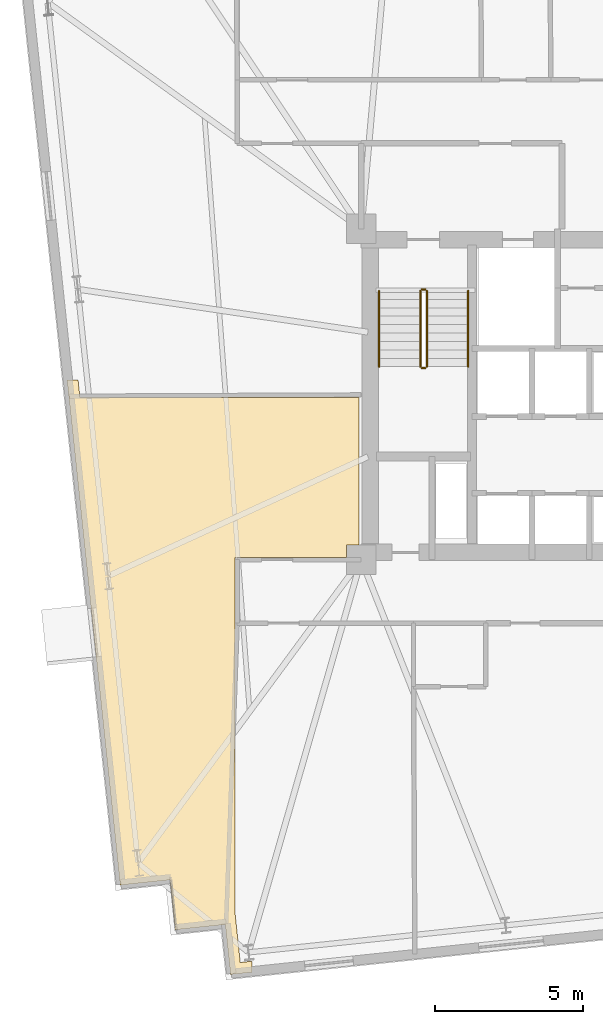
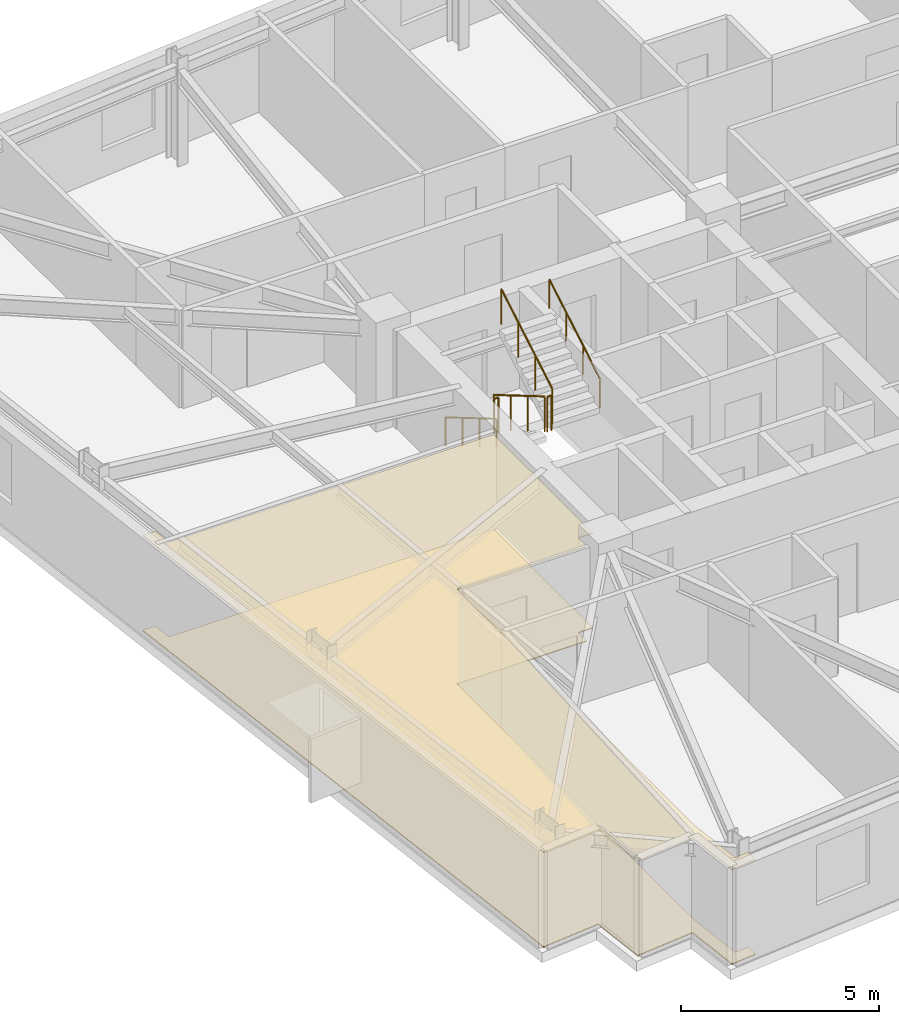
# One storey, part 17 of 19: 6 railings, 2 coverings.
"""IFC4 building model written with IfcOpenShell, lengths in metres."""

from ifc_helpers import new_model, si_unit, direction, frame, origin, origin_2d, place, context, subcontext, project, spatial, polyline, circle, outline, extrude, material, layer, layer_set, type_object, element, save


model = new_model("IFC4")

# Units and contexts
model_context = context("Model", 3, precision=1e-05, world=origin(), true_north=direction((0.0, 1.0)))
body_context = subcontext(model_context, "Body", "Model", "MODEL_VIEW")
ifc_project = project(units=[si_unit("LENGTHUNIT", "METRE"), si_unit("AREAUNIT", "SQUARE_METRE"), si_unit("VOLUMEUNIT", "CUBIC_METRE"), si_unit("PLANEANGLEUNIT", "RADIAN"), si_unit("MASSUNIT", "GRAM", prefix="KILO")], contexts=[model_context])

# Site, building, storey
site_placement = place(None, origin())
site = spatial("IfcSite", under=ifc_project, at=site_placement, CompositionType="ELEMENT")
building_placement = place(site_placement, origin())
building = spatial("IfcBuilding", under=site, at=building_placement, Name="Qobustan Lattice House", CompositionType="ELEMENT")
storey_placement = place(building_placement, frame((0.0, 0.0, 122.550048828125)))
storey = spatial("IfcBuildingStorey", under=building, at=storey_placement, Name="L34", CompositionType="ELEMENT", Elevation=122.550048828125)

# Coverings
ifc_material_1 = material(Name="Perforated gypsum acoustic ceiling", Category="gypsum")
ifc_layer_1 = layer(ifc_material_1, 0.030029296875)
ifc_layer_set_1 = layer_set([ifc_layer_1], Name="Perforated gypsum acoustic ceiling")
covering_type_1 = type_object("IfcCoveringType", Name="COV-ACOUSTIC-CEIL", PredefinedType="CEILING", material=ifc_layer_set_1)
covering_1_placement = place(storey_placement, frame((0.0, 0.0, 2.909912109375)))
element("IfcCovering", 1, at=covering_1_placement, inside=storey, type_object=covering_type_1, Name="L34 Fellows reading room acoustic ceiling", PredefinedType="CEILING", context=body_context, shape_type="SweptSolid", body=[
    extrude(outline(polyline([(-23.40234375, -17.95166015625), (-23.224609375, -19.642333984375), (-22.5, -19.566162109375), (-22.5, -19.194091796875), (-22.8955078125, -19.235595703125), (-23.080078125, -17.4794921875), (-23.080078125, -5.52001953125), (-19.302001953125, -5.52001953125), (-19.302001953125, -5.097900390625), (-18.8798828125, -5.097900390625), (-18.8798828125, -0.099853515625), (-28.3251953125, -0.099853515625), (-28.38623046875, 0.480224609375), (-28.75830078125, 0.480224609375), (-26.96142578125, -16.616455078125), (-25.270751953125, -16.438720703125), (-25.093017578125, -18.12939453125), (-23.40234375, -17.95166015625)])), origin(), (0.0, 0.0, 1.0), 0.030029296875),
])
ifc_material_2 = material(Name="Honed Absheron stone terrazzo flooring", Category="masonry")
ifc_layer_2 = layer(ifc_material_2, 0.02490234375)
ifc_layer_set_2 = layer_set([ifc_layer_2], Name="Honed Absheron stone terrazzo flooring")
covering_type_2 = type_object("IfcCoveringType", Name="COV-TERRAZZO-FLR", PredefinedType="FLOORING", material=ifc_layer_set_2)
covering_2_placement = place(storey_placement, origin())
element("IfcCovering", 2, at=covering_2_placement, inside=storey, type_object=covering_type_2, Name="L34 Fellows reading room stone terrazzo flooring", PredefinedType="FLOORING", context=body_context, shape_type="SweptSolid", body=[
    extrude(outline(polyline([(-23.40234375, -17.95166015625), (-23.224609375, -19.642333984375), (-22.5, -19.566162109375), (-22.5, -19.194091796875), (-22.8955078125, -19.235595703125), (-23.080078125, -17.4794921875), (-23.080078125, -5.52001953125), (-19.302001953125, -5.52001953125), (-19.302001953125, -5.097900390625), (-18.8798828125, -5.097900390625), (-18.8798828125, -0.099853515625), (-28.3251953125, -0.099853515625), (-28.38623046875, 0.480224609375), (-28.75830078125, 0.480224609375), (-26.96142578125, -16.616455078125), (-25.270751953125, -16.438720703125), (-25.093017578125, -18.12939453125), (-23.40234375, -17.95166015625)])), origin(), (0.0, 0.0, 1.0), 0.02490234375),
])

# Railings
ifc_material_3 = material(Name="Brushed stainless steel handrail", Category="steel")
railing_type_1 = type_object("IfcRailingType", Name="RAL-HR-920", PredefinedType="HANDRAIL", material=ifc_material_3)
railing_1_placement = place(storey_placement, frame((-18.199951171875, 3.5, 0.16748046875)))
element("IfcRailing", 3, at=railing_1_placement, inside=storey, type_object=railing_type_1, Name="L34 ST-W1 stair handrail 1", PredefinedType="HANDRAIL", context=body_context, shape_type="SweptSolid", body=[
    extrude(circle(Radius=0.02392578125, at=origin_2d()), frame((0.0, 0.0, 0.8759765625), z_axis=(0.0, -0.862113467892, 0.50671527358), x_axis=(1.0, 0.0, 0.0)), (0.0, 0.0, 1.0), 2.97509765625),
    extrude(circle(Radius=0.02099609375, at=origin_2d()), origin(), (0.0, 0.0, 1.0), 0.851806640625),
    extrude(circle(Radius=0.02099609375, at=origin_2d()), frame((0.0, -0.85498046875, 0.50244140625)), (0.0, 0.0, 1.0), 0.851806640625),
    extrude(circle(Radius=0.02099609375, at=origin_2d()), frame((0.0, -1.7099609375, 1.005126953125)), (0.0, 0.0, 1.0), 0.851806640625),
    extrude(circle(Radius=0.02099609375, at=origin_2d()), frame((0.0, -2.56494140625, 1.507568359375)), (0.0, 0.0, 1.0), 0.851806640625),
])
railing_2_placement = place(storey_placement, frame((-15.179931640625, 0.93505859375, 1.842529296875)))
element("IfcRailing", 4, at=railing_2_placement, inside=storey, type_object=railing_type_1, Name="L34 ST-W1 stair handrail 2", PredefinedType="HANDRAIL", context=body_context, shape_type="SweptSolid", body=[
    extrude(circle(Radius=0.02392578125, at=origin_2d()), frame((0.0, 0.0, 0.8759765625), z_axis=(0.0, 0.862149314443, 0.506654280161), x_axis=(-1.0, 0.0, 0.0)), (0.0, 0.0, 1.0), 2.97509765625),
    extrude(circle(Radius=0.02099609375, at=origin_2d()), origin(), (0.0, 0.0, 1.0), 0.851806640625),
    extrude(circle(Radius=0.02099609375, at=origin_2d()), frame((0.0, 0.85498046875, 0.50244140625)), (0.0, 0.0, 1.0), 0.851806640625),
    extrude(circle(Radius=0.02099609375, at=origin_2d()), frame((0.0, 1.7099609375, 1.0048828125)), (0.0, 0.0, 1.0), 0.851806640625),
    extrude(circle(Radius=0.02099609375, at=origin_2d()), frame((0.0, 2.56494140625, 1.50732421875)), (0.0, 0.0, 1.0), 0.851806640625),
])
ifc_material_4 = material(Name="Painted galvanized steel guardrail", Category="steel")
railing_type_2 = type_object("IfcRailingType", Name="RAL-STG-1150", PredefinedType="GUARDRAIL", material=ifc_material_4)
railing_3_placement = place(storey_placement, frame((-16.800048828125, 3.5, 0.16748046875)))
element("IfcRailing", 5, at=railing_3_placement, inside=storey, type_object=railing_type_2, Name="L34 ST-W1 stair guard 1", PredefinedType="GUARDRAIL", context=body_context, shape_type="SweptSolid", body=[
    extrude(circle(Radius=0.02392578125, at=origin_2d()), frame((0.0, 0.0, 1.076171875), z_axis=(0.0, -0.862113467892, 0.50671527358), x_axis=(1.0, 0.0, 0.0)), (0.0, 0.0, 1.0), 2.97509765625),
    extrude(circle(Radius=0.02099609375, at=origin_2d()), origin(), (0.0, 0.0, 1.0), 1.052001953125),
    extrude(circle(Radius=0.02099609375, at=origin_2d()), frame((0.0, -0.85498046875, 0.50244140625)), (0.0, 0.0, 1.0), 1.052001953125),
    extrude(circle(Radius=0.02099609375, at=origin_2d()), frame((0.0, -1.7099609375, 1.005126953125)), (0.0, 0.0, 1.0), 1.052001953125),
    extrude(circle(Radius=0.02099609375, at=origin_2d()), frame((0.0, -2.56494140625, 1.507568359375)), (0.0, 0.0, 1.0), 1.052001953125),
])
railing_4_placement = place(storey_placement, frame((-16.75, 0.885009765625, 1.675048828125)))
element("IfcRailing", 6, at=railing_4_placement, inside=storey, type_object=railing_type_2, Name="L34 ST-W1 stair guard 2", PredefinedType="GUARDRAIL", context=body_context, shape_type="SweptSolid", body=[
    extrude(circle(Radius=0.02392578125, at=origin_2d()), frame((0.0, 0.0, 1.076171875), z_axis=(1.0, 0.0, 0.0), x_axis=(0.0, 1.0, 0.0)), (0.0, 0.0, 1.0), 0.1201171875),
    extrude(circle(Radius=0.02099609375, at=origin_2d()), origin(), (0.0, 0.0, 1.0), 1.052001953125),
    extrude(circle(Radius=0.02099609375, at=origin_2d()), frame((0.1201171875, 0.0, 0.0)), (0.0, 0.0, 1.0), 1.052001953125),
])
railing_5_placement = place(storey_placement, frame((-16.580078125, 0.93505859375, 1.842529296875)))
element("IfcRailing", 7, at=railing_5_placement, inside=storey, type_object=railing_type_2, Name="L34 ST-W1 stair guard 3", PredefinedType="GUARDRAIL", context=body_context, shape_type="SweptSolid", body=[
    extrude(circle(Radius=0.02392578125, at=origin_2d()), frame((0.0, 0.0, 1.076171875), z_axis=(0.0, 0.862149314443, 0.506654280161), x_axis=(-1.0, 0.0, 0.0)), (0.0, 0.0, 1.0), 2.97509765625),
    extrude(circle(Radius=0.02099609375, at=origin_2d()), origin(), (0.0, 0.0, 1.0), 1.052001953125),
    extrude(circle(Radius=0.02099609375, at=origin_2d()), frame((0.0, 0.85498046875, 0.50244140625)), (0.0, 0.0, 1.0), 1.052001953125),
    extrude(circle(Radius=0.02099609375, at=origin_2d()), frame((0.0, 1.7099609375, 1.0048828125)), (0.0, 0.0, 1.0), 1.052001953125),
    extrude(circle(Radius=0.02099609375, at=origin_2d()), frame((0.0, 2.56494140625, 1.50732421875)), (0.0, 0.0, 1.0), 1.052001953125),
])
railing_6_placement = place(storey_placement, frame((-16.75, 3.550048828125, 0.0)))
element("IfcRailing", 8, at=railing_6_placement, inside=storey, type_object=railing_type_2, Name="L34 ST-W1 stair guard 4", PredefinedType="GUARDRAIL", context=body_context, shape_type="SweptSolid", body=[
    extrude(circle(Radius=0.02392578125, at=origin_2d()), frame((0.0, 0.0, 1.076171875), z_axis=(1.0, 0.0, 0.0), x_axis=(0.0, 1.0, 0.0)), (0.0, 0.0, 1.0), 0.1201171875),
    extrude(circle(Radius=0.02099609375, at=origin_2d()), origin(), (0.0, 0.0, 1.0), 1.052001953125),
    extrude(circle(Radius=0.02099609375, at=origin_2d()), frame((0.1201171875, 0.0, 0.0)), (0.0, 0.0, 1.0), 1.052001953125),
])

save(model, "model.ifc")
